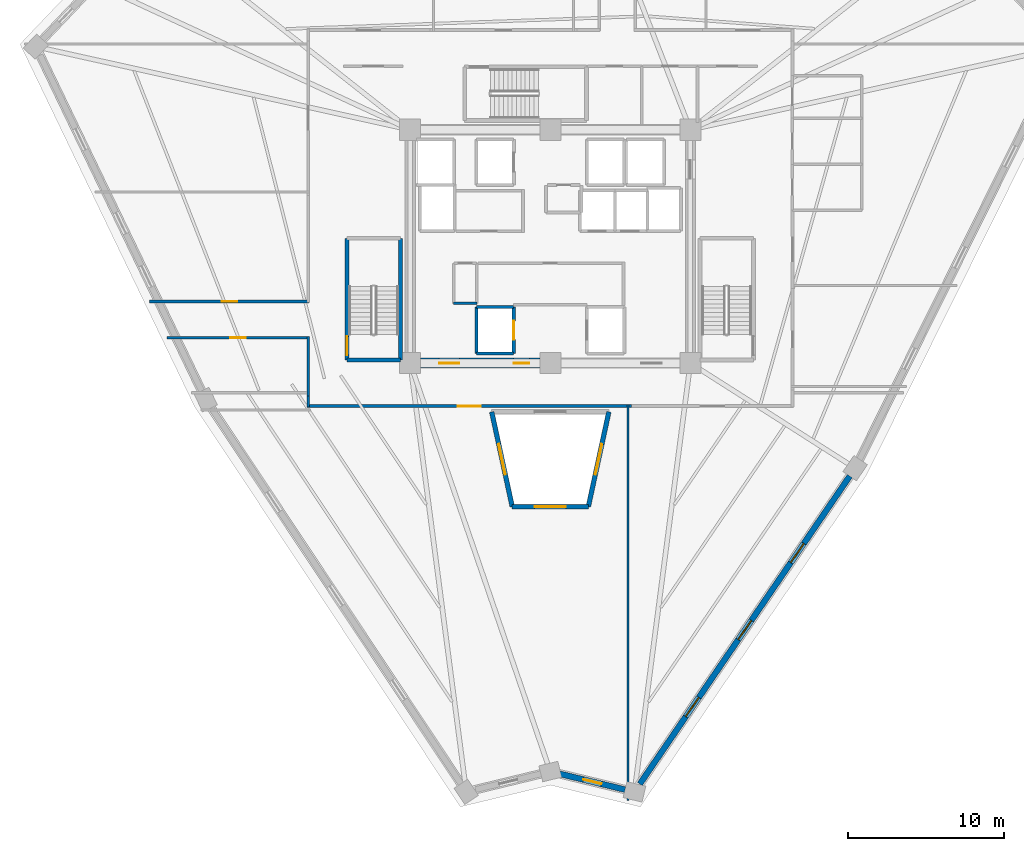
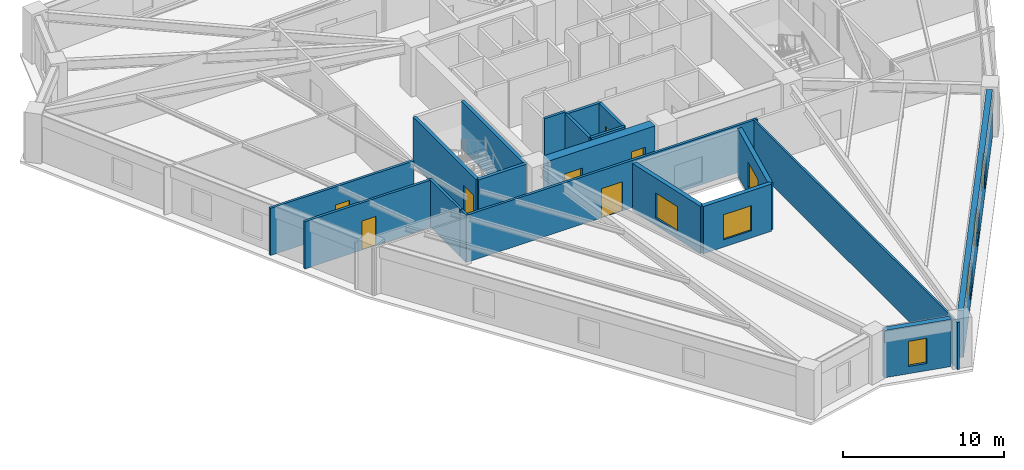
# One storey, part 3 of 9: 20 walls, 7 doors, 7 windows, 14 openings.
"""IFC4 building model written with IfcOpenShell, lengths in metres."""

from ifc_helpers import new_model, si_unit, direction, frame, frame_2d, origin, place, context, subcontext, project, spatial, rectangle, extrude, source, transform, mapped, material, layer, layer_set, type_object, element, fill, save


model = new_model("IFC4")

# Units and contexts
model_context = context("Model", 3, precision=1e-05, world=origin(), true_north=direction((0.0, 1.0)))
body_context = subcontext(model_context, "Body", "Model", "MODEL_VIEW")
ifc_project = project(units=[si_unit("LENGTHUNIT", "METRE"), si_unit("AREAUNIT", "SQUARE_METRE"), si_unit("VOLUMEUNIT", "CUBIC_METRE"), si_unit("PLANEANGLEUNIT", "RADIAN"), si_unit("MASSUNIT", "GRAM", prefix="KILO")], contexts=[model_context])

# Site, building, storey
site_placement = place(None, origin())
site = spatial("IfcSite", under=ifc_project, at=site_placement, CompositionType="ELEMENT")
building_placement = place(site_placement, origin())
building = spatial("IfcBuilding", under=site, at=building_placement, Name="Liaohun Quay Tower", CompositionType="ELEMENT")
storey_placement = place(building_placement, frame((0.0, 0.0, 224.25)))
storey = spatial("IfcBuildingStorey", under=building, at=storey_placement, Name="L58", CompositionType="ELEMENT", Elevation=224.25)

# Wall, opening, window
ifc_material_1 = material(Name="Concrete C50", Category="concrete")
ifc_layer_1 = layer(ifc_material_1, 0.300048828125, Name="Concrete C50", Category="concrete")
ifc_layer_set_1 = layer_set([ifc_layer_1], Name="Concrete C50")
wall_type_1 = type_object("IfcWallType", Name="WAL-ATR-300", PredefinedType="SOLIDWALL", material=ifc_layer_set_1)
wall_1_placement = place(storey_placement, frame((57.553955078125, 37.277099609375, 0.0), z_axis=(0.0, 0.0, 1.0), x_axis=(-0.211403575635, 0.977398858301, 0.0)))
wall_1 = element("IfcWall", 1, at=wall_1_placement, inside=storey, type_object=wall_type_1, Name="L58 Atrium Fire Compartment Wall 1", PredefinedType="SOLIDWALL", context=body_context, shape_type="SweptSolid", body=[
    extrude(rectangle(XDim=6.23388671875, YDim=0.300048828125, at=frame_2d((3.116943359375, 0.0))), origin(), (0.0, 0.0, 1.0), 3.570068359375),
])
shared_shape_1 = source(origin(), body_context, "Body", "SweptSolid", [
    extrude(rectangle(XDim=2.0, YDim=1.89990234375, at=frame_2d((1.0, 0.949951171875))), frame((0.0, 0.159912109375, 0.0), z_axis=(0.0, -1.0, 0.0), x_axis=(1.0, 0.0, 0.0)), (0.0, 0.0, 1.0), 0.320068359375),
])
opening_1_placement = place(wall_1_placement, frame((2.116943359375, 0.0, 0.550048828125)))
opening_1 = element("IfcOpeningElement", 2, at=opening_1_placement, cuts=wall_1, Name="Opening W07", PredefinedType="OPENING", context=body_context, shape_type="MappedRepresentation", body=[
    mapped(shared_shape_1, transform((0.0, 0.0, 0.0), x_axis=(1.0, 0.0, 0.0), y_axis=(0.0, 1.0, 0.0), z_axis=(0.0, 0.0, 1.0), scale=1.0)),
])
ifc_material_2 = material(Name="Class A 180-min fire-resistant insulated glazing", Category="glass")
window_type_1 = type_object("IfcWindowType", Name="WIN-ATR-FIR", PartitioningType="DOUBLE_PANEL_VERTICAL", PredefinedType="WINDOW", material=ifc_material_2)
shared_shape_2 = source(origin(), body_context, "Body", "SweptSolid", [
    extrude(rectangle(XDim=2.0, YDim=1.89990234375, at=frame_2d((1.0, 0.949951171875))), frame((0.0, 0.030029296875, 0.0), z_axis=(0.0, -1.0, 0.0), x_axis=(1.0, 0.0, 0.0)), (0.0, 0.0, 1.0), 0.06005859375),
])
window_1_placement = place(opening_1_placement, origin())
window_1 = element("IfcWindow", 3, at=window_1_placement, inside=storey, type_object=window_type_1, Name="L58 Atrium Fire-Resistant Glazing W07-1", OverallHeight=1.89990234375, OverallWidth=2.0, PartitioningType="DOUBLE_PANEL_VERTICAL", PredefinedType="WINDOW", context=body_context, shape_type="MappedRepresentation", body=[
    mapped(shared_shape_2, transform((0.0, 0.0, 0.0), x_axis=(1.0, 0.0, 0.0), y_axis=(0.0, 1.0, 0.0), z_axis=(0.0, 0.0, 1.0), scale=1.0)),
])
fill(opening_1, window_1)

wall_2_placement = place(storey_placement, frame((63.763916015625, 43.3701171875, 0.0), z_axis=(0.0, 0.0, 1.0), x_axis=(-0.211403575635, -0.977398858301, 0.0)))
wall_2 = element("IfcWall", 4, at=wall_2_placement, inside=storey, type_object=wall_type_1, Name="L58 Atrium Fire Compartment Wall 3", PredefinedType="SOLIDWALL", context=body_context, shape_type="SweptSolid", body=[
    extrude(rectangle(XDim=6.23388671875, YDim=0.300048828125, at=frame_2d((3.116943359375, 0.0))), origin(), (0.0, 0.0, 1.0), 3.570068359375),
])
opening_2_placement = place(wall_2_placement, frame((2.116943359375, 0.0, 0.550048828125)))
opening_2 = element("IfcOpeningElement", 5, at=opening_2_placement, cuts=wall_2, Name="Opening W07", PredefinedType="OPENING", context=body_context, shape_type="MappedRepresentation", body=[
    mapped(shared_shape_1, transform((0.0, 0.0, 0.0), x_axis=(1.0, 0.0, 0.0), y_axis=(0.0, 1.0, 0.0), z_axis=(0.0, 0.0, 1.0), scale=1.0)),
])
window_2_placement = place(opening_2_placement, origin())
window_2 = element("IfcWindow", 6, at=window_2_placement, inside=storey, type_object=window_type_1, Name="L58 Atrium Fire-Resistant Glazing W07-3", OverallHeight=1.89990234375, OverallWidth=2.0, PartitioningType="DOUBLE_PANEL_VERTICAL", PredefinedType="WINDOW", context=body_context, shape_type="MappedRepresentation", body=[
    mapped(shared_shape_2, transform((0.0, 0.0, 0.0), x_axis=(1.0, 0.0, 0.0), y_axis=(0.0, 1.0, 0.0), z_axis=(0.0, 0.0, 1.0), scale=1.0)),
])
fill(opening_2, window_2)

wall_3_placement = place(storey_placement, frame((62.446044921875, 37.277099609375, 0.0), z_axis=(0.0, 0.0, 1.0), x_axis=(-1.0, 0.0, 0.0)))
wall_3 = element("IfcWall", 7, at=wall_3_placement, inside=storey, type_object=wall_type_1, Name="L58 Atrium Fire Compartment Wall 4", PredefinedType="SOLIDWALL", context=body_context, shape_type="SweptSolid", body=[
    extrude(rectangle(XDim=4.89208984375, YDim=0.300048828125, at=frame_2d((2.446044921875, 0.0))), origin(), (0.0, 0.0, 1.0), 3.570068359375),
])
opening_3_placement = place(wall_3_placement, frame((1.446044921875, 0.0, 0.550048828125)))
opening_3 = element("IfcOpeningElement", 8, at=opening_3_placement, cuts=wall_3, Name="Opening W07", PredefinedType="OPENING", context=body_context, shape_type="MappedRepresentation", body=[
    mapped(shared_shape_1, transform((0.0, 0.0, 0.0), x_axis=(1.0, 0.0, 0.0), y_axis=(0.0, 1.0, 0.0), z_axis=(0.0, 0.0, 1.0), scale=1.0)),
])
window_3_placement = place(opening_3_placement, origin())
window_3 = element("IfcWindow", 9, at=window_3_placement, inside=storey, type_object=window_type_1, Name="L58 Atrium Fire-Resistant Glazing W07-4", OverallHeight=1.89990234375, OverallWidth=2.0, PartitioningType="DOUBLE_PANEL_VERTICAL", PredefinedType="WINDOW", context=body_context, shape_type="MappedRepresentation", body=[
    mapped(shared_shape_2, transform((0.0, 0.0, 0.0), x_axis=(1.0, 0.0, 0.0), y_axis=(0.0, 1.0, 0.0), z_axis=(0.0, 0.0, 1.0), scale=1.0)),
])
fill(opening_3, window_3)

# Wall, openings, doors
ifc_material_3 = material(Name="Concrete C55", Category="concrete")
ifc_layer_2 = layer(ifc_material_3, 0.64990234375, Name="Concrete C55", Category="concrete")
ifc_layer_set_2 = layer_set([ifc_layer_2], Name="Concrete C55")
wall_type_2 = type_object("IfcWallType", Name="WAL-COR-Z3", PredefinedType="SHEAR", material=ifc_layer_set_2)
wall_4_placement = place(storey_placement, frame((59.324951171875, 46.5, 0.0), z_axis=(0.0, 0.0, 1.0), x_axis=(-1.0, 0.0, 0.0)))
wall_4 = element("IfcWall", 10, at=wall_4_placement, inside=storey, type_object=wall_type_2, Name="L58 Central Core Shear Wall S-W", PredefinedType="SHEAR", context=body_context, shape_type="SweptSolid", body=[
    extrude(rectangle(XDim=7.64990234375, YDim=0.64990234375, at=frame_2d((3.824951171875, 0.0))), origin(), (0.0, 0.0, 1.0), 3.570068359375),
])
shared_shape_3 = source(origin(), body_context, "Body", "SweptSolid", [
    extrude(rectangle(XDim=1.300048828125, YDim=2.199951171875, at=frame_2d((0.64990234375, 1.10009765625))), frame((0.0, 0.3349609375, 0.0), z_axis=(0.0, -1.0, 0.0), x_axis=(1.0, 0.0, 0.0)), (0.0, 0.0, 1.0), 0.669921875),
])
opening_4_placement = place(wall_4_placement, frame((5.175048828125, 0.0, 0.0)))
opening_4 = element("IfcOpeningElement", 11, at=opening_4_placement, cuts=wall_4, Name="Opening FD1", PredefinedType="OPENING", context=body_context, shape_type="MappedRepresentation", body=[
    mapped(shared_shape_3, transform((0.0, 0.0, 0.0), x_axis=(1.0, 0.0, 0.0), y_axis=(0.0, 1.0, 0.0), z_axis=(0.0, 0.0, 1.0), scale=1.0)),
])
shared_shape_4 = source(origin(), body_context, "Body", "SweptSolid", [
    extrude(rectangle(XDim=1.0, YDim=2.199951171875, at=frame_2d((0.5, 1.10009765625))), frame((0.0, 0.3349609375, 0.0), z_axis=(0.0, -1.0, 0.0), x_axis=(1.0, 0.0, 0.0)), (0.0, 0.0, 1.0), 0.669921875),
])
opening_5_placement = place(wall_4_placement, frame((0.675048828125, 0.0, 0.0)))
opening_5 = element("IfcOpeningElement", 12, at=opening_5_placement, cuts=wall_4, Name="Opening FD2", PredefinedType="OPENING", context=body_context, shape_type="MappedRepresentation", body=[
    mapped(shared_shape_4, transform((0.0, 0.0, 0.0), x_axis=(1.0, 0.0, 0.0), y_axis=(0.0, 1.0, 0.0), z_axis=(0.0, 0.0, 1.0), scale=1.0)),
])
ifc_material_4 = material(Name="Galvanised steel smokeproof fire door", Category="steel")
door_type_1 = type_object("IfcDoorType", Name="DOR-FFL-1300", OperationType="NOTDEFINED", PredefinedType="DOOR", material=ifc_material_4)
shared_shape_5 = source(origin(), body_context, "Body", "SweptSolid", [
    extrude(rectangle(XDim=1.300048828125, YDim=2.199951171875, at=frame_2d((0.64990234375, 1.10009765625))), frame((0.0, 0.02490234375, 0.0), z_axis=(0.0, -1.0, 0.0), x_axis=(1.0, 0.0, 0.0)), (0.0, 0.0, 1.0), 0.050048828125),
])
door_1_placement = place(opening_4_placement, origin())
door_1 = element("IfcDoor", 13, at=door_1_placement, inside=storey, type_object=door_type_1, Name="L58 West Core Lift Lobby Smokeproof Door", OperationType="SINGLE_SWING_RIGHT", OverallHeight=2.199951171875, OverallWidth=1.300048828125, PredefinedType="DOOR", context=body_context, shape_type="MappedRepresentation", body=[
    mapped(shared_shape_5, transform((0.0, 0.0, 0.0), x_axis=(1.0, 0.0, 0.0), y_axis=(0.0, 1.0, 0.0), z_axis=(0.0, 0.0, 1.0), scale=1.0)),
])
fill(opening_4, door_1)
ifc_material_5 = material(Name="Galvanised steel smokeproof lobby fire door", Category="steel")
door_type_2 = type_object("IfcDoorType", Name="DOR-FFL-1000", OperationType="NOTDEFINED", PredefinedType="DOOR", material=ifc_material_5)
shared_shape_6 = source(origin(), body_context, "Body", "SweptSolid", [
    extrude(rectangle(XDim=1.0, YDim=2.199951171875, at=frame_2d((0.5, 1.10009765625))), frame((0.0, 0.02490234375, 0.0), z_axis=(0.0, -1.0, 0.0), x_axis=(1.0, 0.0, 0.0)), (0.0, 0.0, 1.0), 0.050048828125),
])
door_2_placement = place(opening_5_placement, origin())
door_2 = element("IfcDoor", 14, at=door_2_placement, inside=storey, type_object=door_type_2, Name="L58 South Firefighting Lobby Smokeproof Door", OperationType="SINGLE_SWING_LEFT", OverallHeight=2.199951171875, OverallWidth=1.0, PredefinedType="DOOR", context=body_context, shape_type="MappedRepresentation", body=[
    mapped(shared_shape_6, transform((0.0, 0.0, 0.0), x_axis=(1.0, 0.0, 0.0), y_axis=(0.0, 1.0, 0.0), z_axis=(0.0, 0.0, 1.0), scale=1.0)),
])
fill(opening_5, door_2)

# Wall, opening, window
ifc_material_6 = material(Name="Precast concrete C50 insulated sandwich", Category="concrete")
ifc_layer_3 = layer(ifc_material_6, 0.3798828125, Name="Precast concrete C50 insulated sandwich", Category="concrete")
ifc_layer_set_3 = layer_set([ifc_layer_3], Name="Precast concrete C50 insulated sandwich")
wall_type_3 = type_object("IfcWallType", Name="WAL-EXT-Z34", PredefinedType="SOLIDWALL", material=ifc_layer_set_3)
wall_5_placement = place(storey_placement, frame((60.597900390625, 20.113037109375, 0.0), z_axis=(0.0, 0.0, 1.0), x_axis=(0.972011709717, -0.234932407669, 0.0)))
wall_5 = element("IfcWall", 15, at=wall_5_placement, inside=storey, type_object=wall_type_3, Name="L58 Brutalist Precast Pier Wall 01", PredefinedType="SOLIDWALL", context=body_context, shape_type="SweptSolid", body=[
    extrude(rectangle(XDim=4.33349609375, YDim=0.3798828125, at=frame_2d((2.166748046875, 0.0))), origin(), (0.0, 0.0, 1.0), 3.570068359375),
])
shared_shape_7 = source(origin(), body_context, "Body", "SweptSolid", [
    extrude(rectangle(XDim=1.199951171875, YDim=1.89990234375, at=frame_2d((0.60009765625, 0.949951171875))), frame((0.0, 0.199951171875, 0.0), z_axis=(0.0, -1.0, 0.0), x_axis=(1.0, 0.0, 0.0)), (0.0, 0.0, 1.0), 0.39990234375),
])
opening_6_placement = place(wall_5_placement, frame((1.56689453125, 0.0, 0.550048828125)))
opening_6 = element("IfcOpeningElement", 16, at=opening_6_placement, cuts=wall_5, Name="Opening W05", PredefinedType="OPENING", context=body_context, shape_type="MappedRepresentation", body=[
    mapped(shared_shape_7, transform((0.0, 0.0, 0.0), x_axis=(1.0, 0.0, 0.0), y_axis=(0.0, 1.0, 0.0), z_axis=(0.0, 0.0, 1.0), scale=1.0)),
])
ifc_material_7 = material(Name="Triple Low-E corner notch glazing", Category="glass")
window_type_2 = type_object("IfcWindowType", Name="WIN-NOTCH", PartitioningType="SINGLE_PANEL", PredefinedType="WINDOW", material=ifc_material_7)
shared_shape_8 = source(origin(), body_context, "Body", "SweptSolid", [
    extrude(rectangle(XDim=1.199951171875, YDim=1.89990234375, at=frame_2d((0.60009765625, 0.949951171875))), frame((0.0, 0.030029296875, 0.0), z_axis=(0.0, -1.0, 0.0), x_axis=(1.0, 0.0, 0.0)), (0.0, 0.0, 1.0), 0.06005859375),
])
window_4_placement = place(opening_6_placement, origin())
window_4 = element("IfcWindow", 17, at=window_4_placement, inside=storey, type_object=window_type_2, Name="L58 Corner Notch Window W05-01", OverallHeight=1.89990234375, OverallWidth=1.199951171875, PartitioningType="SINGLE_PANEL", PredefinedType="WINDOW", context=body_context, shape_type="MappedRepresentation", body=[
    mapped(shared_shape_8, transform((0.0, 0.0, 0.0), x_axis=(1.0, 0.0, 0.0), y_axis=(0.0, 1.0, 0.0), z_axis=(0.0, 0.0, 1.0), scale=1.0)),
])
fill(opening_6, window_4)

# Wall, openings, windows
wall_6_placement = place(storey_placement, frame((65.75390625, 19.458984375, 0.0), z_axis=(0.0, 0.0, 1.0), x_axis=(0.563392494029, 0.826189383659, 0.0)))
wall_6 = element("IfcWall", 18, at=wall_6_placement, inside=storey, type_object=wall_type_3, Name="L58 Brutalist Precast Pier Wall 02", PredefinedType="SOLIDWALL", context=body_context, shape_type="SweptSolid", body=[
    extrude(rectangle(XDim=23.949951171875, YDim=0.3798828125, at=frame_2d((11.97509765625, 0.0))), origin(), (0.0, 0.0, 1.0), 3.570068359375),
])
shared_shape_9 = source(origin(), body_context, "Body", "SweptSolid", [
    extrude(rectangle(XDim=1.5, YDim=1.89990234375, at=frame_2d((0.75, 0.949951171875))), frame((0.0, 0.199951171875, 0.0), z_axis=(0.0, -1.0, 0.0), x_axis=(1.0, 0.0, 0.0)), (0.0, 0.0, 1.0), 0.39990234375),
])
opening_7_placement = place(wall_6_placement, frame((5.237060546875, 0.0, 0.550048828125)))
opening_7 = element("IfcOpeningElement", 19, at=opening_7_placement, cuts=wall_6, Name="Opening W03", PredefinedType="OPENING", context=body_context, shape_type="MappedRepresentation", body=[
    mapped(shared_shape_9, transform((0.0, 0.0, 0.0), x_axis=(1.0, 0.0, 0.0), y_axis=(0.0, 1.0, 0.0), z_axis=(0.0, 0.0, 1.0), scale=1.0)),
])
opening_8_placement = place(wall_6_placement, frame((11.22509765625, 0.0, 0.550048828125)))
opening_8 = element("IfcOpeningElement", 20, at=opening_8_placement, cuts=wall_6, Name="Opening W03", PredefinedType="OPENING", context=body_context, shape_type="MappedRepresentation", body=[
    mapped(shared_shape_9, transform((0.0, 0.0, 0.0), x_axis=(1.0, 0.0, 0.0), y_axis=(0.0, 1.0, 0.0), z_axis=(0.0, 0.0, 1.0), scale=1.0)),
])
opening_9_placement = place(wall_6_placement, frame((17.2119140625, 0.0, 0.550048828125)))
opening_9 = element("IfcOpeningElement", 21, at=opening_9_placement, cuts=wall_6, Name="Opening W03", PredefinedType="OPENING", context=body_context, shape_type="MappedRepresentation", body=[
    mapped(shared_shape_9, transform((0.0, 0.0, 0.0), x_axis=(1.0, 0.0, 0.0), y_axis=(0.0, 1.0, 0.0), z_axis=(0.0, 0.0, 1.0), scale=1.0)),
])
ifc_material_8 = material(Name="Triple Low-E argon glazing in thermally broken aluminium", Category="aluminium")
window_type_3 = type_object("IfcWindowType", Name="WIN-PUN-Z3", PartitioningType="DOUBLE_PANEL_VERTICAL", PredefinedType="WINDOW", material=ifc_material_8)
shared_shape_10 = source(origin(), body_context, "Body", "SweptSolid", [
    extrude(rectangle(XDim=1.5, YDim=1.89990234375, at=frame_2d((0.75, 0.949951171875))), frame((0.0, 0.030029296875, 0.0), z_axis=(0.0, -1.0, 0.0), x_axis=(1.0, 0.0, 0.0)), (0.0, 0.0, 1.0), 0.06005859375),
])
window_5_placement = place(opening_7_placement, origin())
window_5 = element("IfcWindow", 22, at=window_5_placement, inside=storey, type_object=window_type_3, Name="L58 Recessed Cold-Climate Punched Window 02-1", OverallHeight=1.89990234375, OverallWidth=1.5, PartitioningType="DOUBLE_PANEL_VERTICAL", PredefinedType="WINDOW", context=body_context, shape_type="MappedRepresentation", body=[
    mapped(shared_shape_10, transform((0.0, 0.0, 0.0), x_axis=(1.0, 0.0, 0.0), y_axis=(0.0, 1.0, 0.0), z_axis=(0.0, 0.0, 1.0), scale=1.0)),
])
fill(opening_7, window_5)
window_6_placement = place(opening_8_placement, origin())
window_6 = element("IfcWindow", 23, at=window_6_placement, inside=storey, type_object=window_type_3, Name="L58 Recessed Cold-Climate Punched Window 02-2", OverallHeight=1.89990234375, OverallWidth=1.5, PartitioningType="DOUBLE_PANEL_VERTICAL", PredefinedType="WINDOW", context=body_context, shape_type="MappedRepresentation", body=[
    mapped(shared_shape_10, transform((0.0, 0.0, 0.0), x_axis=(1.0, 0.0, 0.0), y_axis=(0.0, 1.0, 0.0), z_axis=(0.0, 0.0, 1.0), scale=1.0)),
])
fill(opening_8, window_6)
window_7_placement = place(opening_9_placement, origin())
window_7 = element("IfcWindow", 24, at=window_7_placement, inside=storey, type_object=window_type_3, Name="L58 Recessed Cold-Climate Punched Window 02-3", OverallHeight=1.89990234375, OverallWidth=1.5, PartitioningType="DOUBLE_PANEL_VERTICAL", PredefinedType="WINDOW", context=body_context, shape_type="MappedRepresentation", body=[
    mapped(shared_shape_10, transform((0.0, 0.0, 0.0), x_axis=(1.0, 0.0, 0.0), y_axis=(0.0, 1.0, 0.0), z_axis=(0.0, 0.0, 1.0), scale=1.0)),
])
fill(opening_9, window_7)

# Wall, opening, door
ifc_material_9 = material(Name="Autoclaved aerated concrete blockwork", Category="masonry")
ifc_layer_4 = layer(ifc_material_9, 0.179931640625, Name="Autoclaved aerated concrete blockwork", Category="masonry")
ifc_layer_set_4 = layer_set([ifc_layer_4], Name="Autoclaved aerated concrete blockwork")
wall_type_4 = type_object("IfcWallType", Name="WAL-PRT-COR", PredefinedType="PARTITIONING", material=ifc_layer_set_4)
wall_7_placement = place(storey_placement, frame((34.238037109375, 50.4599609375, 0.0), z_axis=(0.0, 0.0, 1.0), x_axis=(1.0, 0.0, 0.0)))
wall_7 = element("IfcWall", 25, at=wall_7_placement, inside=storey, type_object=wall_type_4, Name="L58 Interior Partition Wall 019", PredefinedType="PARTITIONING", context=body_context, shape_type="SweptSolid", body=[
    extrude(rectangle(XDim=10.27197265625, YDim=0.179931640625, at=frame_2d((5.135986328125, 0.0))), origin(), (0.0, 0.0, 1.0), 3.570068359375),
])
shared_shape_11 = source(origin(), body_context, "Body", "SweptSolid", [
    extrude(rectangle(XDim=1.0, YDim=2.199951171875, at=frame_2d((0.5, 1.10009765625))), frame((0.0, 0.099853515625, 0.0), z_axis=(0.0, -1.0, 0.0), x_axis=(1.0, 0.0, 0.0)), (0.0, 0.0, 1.0), 0.199951171875),
])
opening_10_placement = place(wall_7_placement, frame((4.635986328125, 0.0, 0.0)))
opening_10 = element("IfcOpeningElement", 26, at=opening_10_placement, cuts=wall_7, Name="Opening OD1", PredefinedType="OPENING", context=body_context, shape_type="MappedRepresentation", body=[
    mapped(shared_shape_11, transform((0.0, 0.0, 0.0), x_axis=(1.0, 0.0, 0.0), y_axis=(0.0, 1.0, 0.0), z_axis=(0.0, 0.0, 1.0), scale=1.0)),
])
ifc_material_10 = material(Name="Solid-core oak veneer timber leaf in steel frame", Category="steel")
door_type_3 = type_object("IfcDoorType", Name="DOR-OFF-1000", OperationType="NOTDEFINED", PredefinedType="DOOR", material=ifc_material_10)
door_3_placement = place(opening_10_placement, origin())
door_3 = element("IfcDoor", 27, at=door_3_placement, inside=storey, type_object=door_type_3, Name="L58 Corporate Exhibition Gallery 08 Door", OperationType="SINGLE_SWING_LEFT", OverallHeight=2.199951171875, OverallWidth=1.0, PredefinedType="DOOR", context=body_context, shape_type="MappedRepresentation", body=[
    mapped(shared_shape_6, transform((0.0, 0.0, 0.0), x_axis=(1.0, 0.0, 0.0), y_axis=(0.0, 1.0, 0.0), z_axis=(0.0, 0.0, 1.0), scale=1.0)),
])
fill(opening_10, door_3)

wall_8_placement = place(storey_placement, frame((44.510009765625, 48.139892578125, 0.0), z_axis=(0.0, 0.0, 1.0), x_axis=(-1.0, 0.0, 0.0)))
wall_8 = element("IfcWall", 28, at=wall_8_placement, inside=storey, type_object=wall_type_4, Name="L58 Interior Partition Wall 020", PredefinedType="PARTITIONING", context=body_context, shape_type="SweptSolid", body=[
    extrude(rectangle(XDim=9.155029296875, YDim=0.179931640625, at=frame_2d((4.57763671875, 0.0))), origin(), (0.0, 0.0, 1.0), 3.570068359375),
])
opening_11_placement = place(wall_8_placement, frame((4.077880859375, 0.0, 0.0)))
opening_11 = element("IfcOpeningElement", 29, at=opening_11_placement, cuts=wall_8, Name="Opening OD1", PredefinedType="OPENING", context=body_context, shape_type="MappedRepresentation", body=[
    mapped(shared_shape_11, transform((0.0, 0.0, 0.0), x_axis=(1.0, 0.0, 0.0), y_axis=(0.0, 1.0, 0.0), z_axis=(0.0, 0.0, 1.0), scale=1.0)),
])
door_4_placement = place(opening_11_placement, origin())
door_4 = element("IfcDoor", 30, at=door_4_placement, inside=storey, type_object=door_type_3, Name="L58 Records Archive Store 09 Door", OperationType="SINGLE_SWING_RIGHT", OverallHeight=2.199951171875, OverallWidth=1.0, PredefinedType="DOOR", context=body_context, shape_type="MappedRepresentation", body=[
    mapped(shared_shape_6, transform((0.0, 0.0, 0.0), x_axis=(1.0, 0.0, 0.0), y_axis=(0.0, 1.0, 0.0), z_axis=(0.0, 0.0, 1.0), scale=1.0)),
])
fill(opening_11, door_4)

wall_9_placement = place(storey_placement, frame((65.215087890625, 43.739990234375, 0.0), z_axis=(0.0, 0.0, 1.0), x_axis=(-1.0, 0.0, 0.0)))
wall_9 = element("IfcWall", 31, at=wall_9_placement, inside=storey, type_object=wall_type_4, Name="L58 Interior Partition Wall 021", PredefinedType="PARTITIONING", context=body_context, shape_type="SweptSolid", body=[
    extrude(rectangle(XDim=20.844970703125, YDim=0.179931640625, at=frame_2d((10.42236328125, 0.0))), origin(), (0.0, 0.0, 1.0), 3.570068359375),
])
shared_shape_12 = source(origin(), body_context, "Body", "SweptSolid", [
    extrude(rectangle(XDim=1.5, YDim=2.199951171875, at=frame_2d((0.75, 1.10009765625))), frame((0.0, 0.099853515625, 0.0), z_axis=(0.0, -1.0, 0.0), x_axis=(1.0, 0.0, 0.0)), (0.0, 0.0, 1.0), 0.199951171875),
])
opening_12_placement = place(wall_9_placement, frame((9.673095703125, 0.0, 0.0)))
opening_12 = element("IfcOpeningElement", 32, at=opening_12_placement, cuts=wall_9, Name="Opening OD2", PredefinedType="OPENING", context=body_context, shape_type="MappedRepresentation", body=[
    mapped(shared_shape_12, transform((0.0, 0.0, 0.0), x_axis=(1.0, 0.0, 0.0), y_axis=(0.0, 1.0, 0.0), z_axis=(0.0, 0.0, 1.0), scale=1.0)),
])
ifc_material_11 = material(Name="Acoustic oak veneer double door")
door_type_4 = type_object("IfcDoorType", Name="DOR-OFF-1500", OperationType="DOUBLE_DOOR_SINGLE_SWING", PredefinedType="DOOR", material=ifc_material_11)
shared_shape_13 = source(origin(), body_context, "Body", "SweptSolid", [
    extrude(rectangle(XDim=1.5, YDim=2.199951171875, at=frame_2d((0.75, 1.10009765625))), frame((0.0, 0.02490234375, 0.0), z_axis=(0.0, -1.0, 0.0), x_axis=(1.0, 0.0, 0.0)), (0.0, 0.0, 1.0), 0.050048828125),
])
door_5_placement = place(opening_12_placement, origin())
door_5 = element("IfcDoor", 33, at=door_5_placement, inside=storey, type_object=door_type_4, Name="L58 Open-Plan Office Workplace 10 Door", OperationType="DOUBLE_DOOR_SINGLE_SWING", OverallHeight=2.199951171875, OverallWidth=1.5, PredefinedType="DOOR", context=body_context, shape_type="MappedRepresentation", body=[
    mapped(shared_shape_13, transform((0.0, 0.0, 0.0), x_axis=(1.0, 0.0, 0.0), y_axis=(0.0, 1.0, 0.0), z_axis=(0.0, 0.0, 1.0), scale=1.0)),
])
fill(opening_12, door_5)

# Walls
wall_10_placement = place(storey_placement, frame((53.7900390625, 50.35009765625, 0.0), z_axis=(0.0, 0.0, 1.0), x_axis=(1.0, 0.0, 0.0)))
element("IfcWall", 34, at=wall_10_placement, inside=storey, type_object=wall_type_4, Name="L58 Interior Partition Wall 028", PredefinedType="PARTITIONING", context=body_context, shape_type="SweptSolid", body=[
    extrude(rectangle(XDim=1.489990234375, YDim=0.179931640625, at=frame_2d((0.7451171875, 0.0))), origin(), (0.0, 0.0, 1.0), 3.570068359375),
])
wall_11_placement = place(storey_placement, frame((44.43994140625, 44.385009765625, 0.0), z_axis=(0.0, 0.0, 1.0), x_axis=(0.0, 1.0, 0.0)))
element("IfcWall", 35, at=wall_11_placement, inside=storey, type_object=wall_type_4, Name="L58 Interior Partition Wall 043", PredefinedType="PARTITIONING", context=body_context, shape_type="SweptSolid", body=[
    extrude(rectangle(XDim=3.824951171875, YDim=0.179931640625, at=frame_2d((1.91259765625, 0.0))), origin(), (0.0, 0.0, 1.0), 3.570068359375),
])
wall_12_placement = place(storey_placement, frame((44.43994140625, 43.669921875, 0.0), z_axis=(0.0, 0.0, 1.0), x_axis=(0.0, 1.0, 0.0)))
element("IfcWall", 36, at=wall_12_placement, inside=storey, type_object=wall_type_4, Name="L58 Interior Partition Wall 044", PredefinedType="PARTITIONING", context=body_context, shape_type="SweptSolid", body=[
    extrude(rectangle(XDim=0.715087890625, YDim=0.179931640625, at=frame_2d((0.357421875, 0.0))), origin(), (0.0, 0.0, 1.0), 3.570068359375),
])
ifc_material_12 = material(Name="Gypsum board on twin steel studs", Category="steel")
ifc_layer_5 = layer(ifc_material_12, 0.139892578125, Name="Gypsum board on twin steel studs", Category="steel")
ifc_layer_set_5 = layer_set([ifc_layer_5], Name="Gypsum board on twin steel studs")
wall_type_5 = type_object("IfcWallType", Name="WAL-PRT-OFF", PredefinedType="PARTITIONING", material=ifc_layer_set_5)
wall_13_placement = place(storey_placement, frame((65.0, 43.840087890625, 0.0), z_axis=(0.0, 0.0, 1.0), x_axis=(0.0, -1.0, 0.0)))
element("IfcWall", 37, at=wall_13_placement, inside=storey, type_object=wall_type_5, Name="L58 Interior Partition Wall 057", PredefinedType="PARTITIONING", context=body_context, shape_type="SweptSolid", body=[
    extrude(rectangle(XDim=25.43798828125, YDim=0.139892578125, at=frame_2d((12.718994140625, 0.0))), origin(), (0.0, 0.0, 1.0), 3.570068359375),
])
ifc_layer_6 = layer(ifc_material_1, 0.239990234375, Name="Concrete C50", Category="concrete")
ifc_layer_set_6 = layer_set([ifc_layer_6], Name="Concrete C50")
wall_type_6 = type_object("IfcWallType", Name="WAL-SHF-200", PredefinedType="SOLIDWALL", material=ifc_layer_set_6)
wall_14_placement = place(storey_placement, frame((46.93994140625, 46.699951171875, 0.0), z_axis=(0.0, 0.0, 1.0), x_axis=(1.0, 0.0, 0.0)))
element("IfcWall", 38, at=wall_14_placement, inside=storey, type_object=wall_type_6, Name="L58 Stairwell ST-1 Structural Core Wall S", PredefinedType="SOLIDWALL", context=body_context, shape_type="SweptSolid", body=[
    extrude(rectangle(XDim=3.43994140625, YDim=0.239990234375, at=frame_2d((1.719970703125, 0.0))), origin(), (0.0, 0.0, 1.0), 3.570068359375),
])
wall_15_placement = place(storey_placement, frame((50.3798828125, 46.699951171875, 0.0), z_axis=(0.0, 0.0, 1.0), x_axis=(0.0, 1.0, 0.0)))
element("IfcWall", 39, at=wall_15_placement, inside=storey, type_object=wall_type_6, Name="L58 Stairwell ST-1 Structural Core Wall E", PredefinedType="SOLIDWALL", context=body_context, shape_type="SweptSolid", body=[
    extrude(rectangle(XDim=7.820068359375, YDim=0.239990234375, at=frame_2d((3.91015625, 0.0))), origin(), (0.0, 0.0, 1.0), 3.570068359375),
])

# Wall, opening, door
wall_16_placement = place(storey_placement, frame((46.93994140625, 54.52001953125, 0.0), z_axis=(0.0, 0.0, 1.0), x_axis=(0.0, -1.0, 0.0)))
wall_16 = element("IfcWall", 40, at=wall_16_placement, inside=storey, type_object=wall_type_6, Name="L58 Stairwell ST-1 Structural Core Wall W", PredefinedType="SOLIDWALL", context=body_context, shape_type="SweptSolid", body=[
    extrude(rectangle(XDim=7.820068359375, YDim=0.239990234375, at=frame_2d((3.91015625, 0.0))), origin(), (0.0, 0.0, 1.0), 3.570068359375),
])
shared_shape_14 = source(origin(), body_context, "Body", "SweptSolid", [
    extrude(rectangle(XDim=1.199951171875, YDim=2.199951171875, at=frame_2d((0.60009765625, 1.10009765625))), frame((0.0, 0.1298828125, 0.0), z_axis=(0.0, -1.0, 0.0), x_axis=(1.0, 0.0, 0.0)), (0.0, 0.0, 1.0), 0.260009765625),
])
opening_13_placement = place(wall_16_placement, frame((6.300048828125, 0.0, 0.0)))
opening_13 = element("IfcOpeningElement", 41, at=opening_13_placement, cuts=wall_16, Name="Opening SD1", PredefinedType="OPENING", context=body_context, shape_type="MappedRepresentation", body=[
    mapped(shared_shape_14, transform((0.0, 0.0, 0.0), x_axis=(1.0, 0.0, 0.0), y_axis=(0.0, 1.0, 0.0), z_axis=(0.0, 0.0, 1.0), scale=1.0)),
])
ifc_material_13 = material(Name="Galvanised steel fire door", Category="steel")
door_type_5 = type_object("IfcDoorType", Name="DOR-STR-1200", OperationType="NOTDEFINED", PredefinedType="DOOR", material=ifc_material_13)
shared_shape_15 = source(origin(), body_context, "Body", "SweptSolid", [
    extrude(rectangle(XDim=1.199951171875, YDim=2.199951171875, at=frame_2d((0.60009765625, 1.10009765625))), frame((0.0, 0.02490234375, 0.0), z_axis=(0.0, -1.0, 0.0), x_axis=(1.0, 0.0, 0.0)), (0.0, 0.0, 1.0), 0.050048828125),
])
door_6_placement = place(opening_13_placement, origin())
door_6 = element("IfcDoor", 42, at=door_6_placement, inside=storey, type_object=door_type_5, Name="L58 Protected Stair ST-1 Fire Door", OperationType="SINGLE_SWING_LEFT", OverallHeight=2.199951171875, OverallWidth=1.199951171875, PredefinedType="DOOR", context=body_context, shape_type="MappedRepresentation", body=[
    mapped(shared_shape_15, transform((0.0, 0.0, 0.0), x_axis=(1.0, 0.0, 0.0), y_axis=(0.0, 1.0, 0.0), z_axis=(0.0, 0.0, 1.0), scale=1.0)),
])
fill(opening_13, door_6)

# Wall
wall_17_placement = place(storey_placement, frame((55.25, 47.1201171875, 0.0), z_axis=(0.0, 0.0, 1.0), x_axis=(1.0, 0.0, 0.0)))
element("IfcWall", 43, at=wall_17_placement, inside=storey, type_object=wall_type_6, Name="L58 Lift FF-01 Hoistway Wall S", PredefinedType="SOLIDWALL", context=body_context, shape_type="SweptSolid", body=[
    extrude(rectangle(XDim=2.39990234375, YDim=0.199951171875, at=frame_2d((1.199951171875, 0.0))), origin(), (0.0, 0.0, 1.0), 3.570068359375),
])

# Wall, opening, door
wall_18_placement = place(storey_placement, frame((57.64990234375, 47.1201171875, 0.0), z_axis=(0.0, 0.0, 1.0), x_axis=(0.0, 1.0, 0.0)))
wall_18 = element("IfcWall", 44, at=wall_18_placement, inside=storey, type_object=wall_type_6, Name="L58 Lift FF-01 Hoistway Wall E", PredefinedType="SOLIDWALL", context=body_context, shape_type="SweptSolid", body=[
    extrude(rectangle(XDim=3.0, YDim=0.199951171875, at=frame_2d((1.5, 0.0))), origin(), (0.0, 0.0, 1.0), 3.570068359375),
])
shared_shape_16 = source(origin(), body_context, "Body", "SweptSolid", [
    extrude(rectangle(XDim=1.199951171875, YDim=2.300048828125, at=frame_2d((0.60009765625, 1.14990234375))), frame((0.0, 0.10986328125, 0.0), z_axis=(0.0, -1.0, 0.0), x_axis=(1.0, 0.0, 0.0)), (0.0, 0.0, 1.0), 0.219970703125),
])
opening_14_placement = place(wall_18_placement, frame((0.89990234375, 0.0, 0.0)))
opening_14 = element("IfcOpeningElement", 45, at=opening_14_placement, cuts=wall_18, Name="Opening LD2", PredefinedType="OPENING", context=body_context, shape_type="MappedRepresentation", body=[
    mapped(shared_shape_16, transform((0.0, 0.0, 0.0), x_axis=(1.0, 0.0, 0.0), y_axis=(0.0, 1.0, 0.0), z_axis=(0.0, 0.0, 1.0), scale=1.0)),
])
ifc_material_14 = material(Name="Brushed stainless steel stretcher landing door", Category="steel")
door_type_6 = type_object("IfcDoorType", Name="DOR-LFT-1200", OperationType="SLIDING_TO_LEFT", PredefinedType="DOOR", material=ifc_material_14)
shared_shape_17 = source(origin(), body_context, "Body", "SweptSolid", [
    extrude(rectangle(XDim=1.199951171875, YDim=2.300048828125, at=frame_2d((0.60009765625, 1.14990234375))), frame((0.0, 0.02490234375, 0.0), z_axis=(0.0, -1.0, 0.0), x_axis=(1.0, 0.0, 0.0)), (0.0, 0.0, 1.0), 0.050048828125),
])
door_7_placement = place(opening_14_placement, origin())
door_7 = element("IfcDoor", 46, at=door_7_placement, inside=storey, type_object=door_type_6, Name="L58 Lift FF-01 Sliding Landing Door", OperationType="SLIDING_TO_LEFT", OverallHeight=2.300048828125, OverallWidth=1.199951171875, PredefinedType="DOOR", context=body_context, shape_type="MappedRepresentation", body=[
    mapped(shared_shape_17, transform((0.0, 0.0, 0.0), x_axis=(1.0, 0.0, 0.0), y_axis=(0.0, 1.0, 0.0), z_axis=(0.0, 0.0, 1.0), scale=1.0)),
])
fill(opening_14, door_7)

# Walls
wall_19_placement = place(storey_placement, frame((57.64990234375, 50.1201171875, 0.0), z_axis=(0.0, 0.0, 1.0), x_axis=(-1.0, 0.0, 0.0)))
element("IfcWall", 47, at=wall_19_placement, inside=storey, type_object=wall_type_6, Name="L58 Lift FF-01 Hoistway Wall N", PredefinedType="SOLIDWALL", context=body_context, shape_type="SweptSolid", body=[
    extrude(rectangle(XDim=2.39990234375, YDim=0.199951171875, at=frame_2d((1.199951171875, 0.0))), origin(), (0.0, 0.0, 1.0), 3.570068359375),
])
wall_20_placement = place(storey_placement, frame((55.25, 50.1201171875, 0.0), z_axis=(0.0, 0.0, 1.0), x_axis=(0.0, -1.0, 0.0)))
element("IfcWall", 48, at=wall_20_placement, inside=storey, type_object=wall_type_6, Name="L58 Lift FF-01 Hoistway Wall W", PredefinedType="SOLIDWALL", context=body_context, shape_type="SweptSolid", body=[
    extrude(rectangle(XDim=3.0, YDim=0.199951171875, at=frame_2d((1.5, 0.0))), origin(), (0.0, 0.0, 1.0), 3.570068359375),
])

save(model, "model.ifc")
